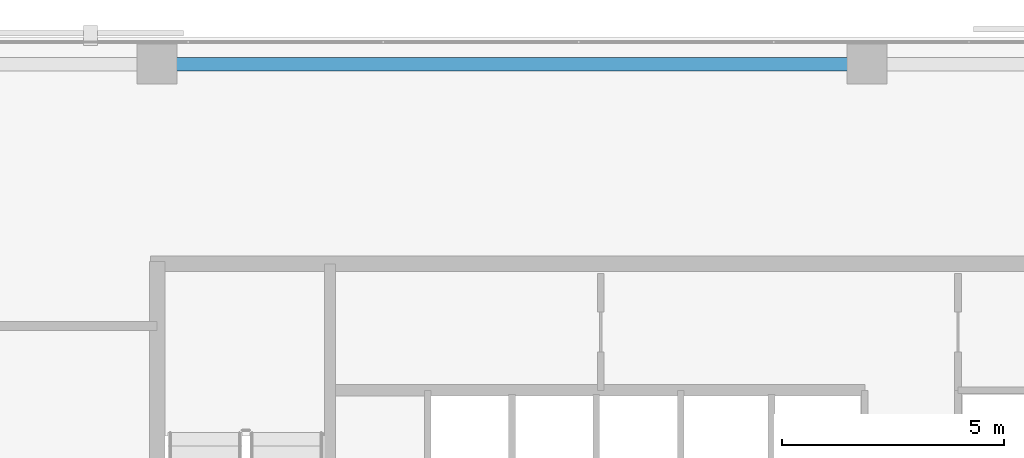
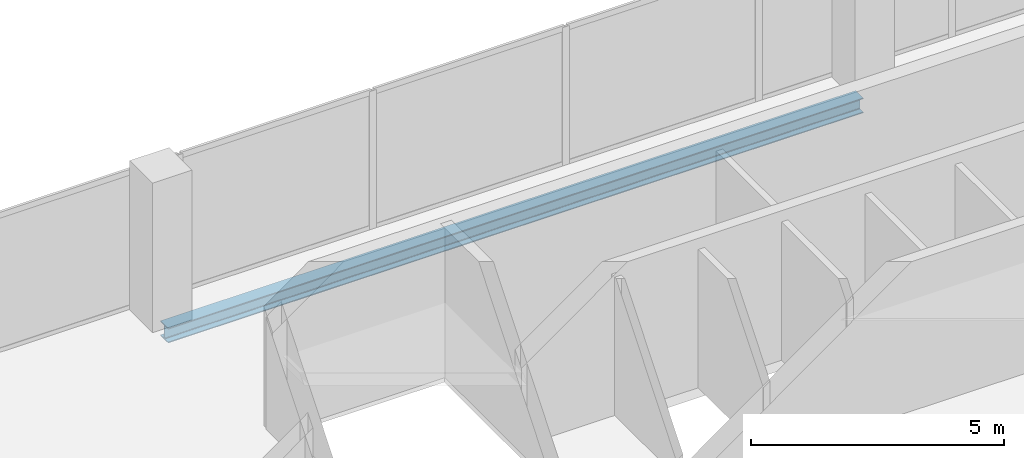
# One storey, part 21 of 33: 1 beam.
"""IFC4 building model written with IfcOpenShell, lengths in metres."""

import ifcopenshell
import ifcopenshell.guid

model = None  # the IFC model being written
_history = None  # IfcOwnerHistory: only IFC2X3 demands one
_inside = {}  # id of a spatial element -> (the spatial element, [elements in it])
_under = {}  # id of a project, library or spatial element -> (it, [spatial elements below it])
_declared = {}  # id of a project -> (the project, [libraries it declares])
_typed = {}  # id of a type object -> (the type object, [elements of that type])
_made_of = {}  # id of a material, layer set ... -> (it, [elements and type objects made of it])


def new_model(schema):
    """Start an empty IFC model of exactly this schema.

    Asked for "IFC4X3", IfcOpenShell would pick the latest addendum, in which some entities
    have other attributes; the version numbers below select the first issue.
    IFC2X3 requires an IfcOwnerHistory on every rooted entity: one is made here for all.
    """
    global model, _history
    if schema == "IFC4X3":
        model = ifcopenshell.file(schema_version=(4, 3, 0, 0))
    else:
        model = ifcopenshell.file(schema=schema)
    _inside.clear()
    _under.clear()
    _declared.clear()
    _typed.clear()
    _made_of.clear()
    _history = None
    if model.schema == "IFC2X3":
        org = make("IfcOrganization", Name="unknown")
        user = make(
            "IfcPersonAndOrganization",
            ThePerson=make("IfcPerson", FamilyName="unknown"),
            TheOrganization=org,
        )
        app = make(
            "IfcApplication",
            ApplicationDeveloper=org,
            Version="unknown",
            ApplicationFullName="unknown",
            ApplicationIdentifier="unknown",
        )
        _history = make(
            "IfcOwnerHistory",
            OwningUser=user,
            OwningApplication=app,
            ChangeAction="ADDED",
            CreationDate=0,
        )
    return model


def make(cls, **values):
    """One entity of the class cls with the attributes given. An attribute that is None is left unset."""
    return model.create_entity(
        cls, **{name: value for name, value in values.items() if value is not None}
    )


def rooted(cls, **values):
    """An entity with a GlobalId (a new one), such as an element, a storey or a relation."""
    return make(cls, GlobalId=ifcopenshell.guid.new(), OwnerHistory=_history, **values)


def si_unit(unit_type, name, prefix=None):
    """IfcSIUnit, for example si_unit("LENGTHUNIT", "METRE", prefix="MILLI")."""
    return make("IfcSIUnit", UnitType=unit_type, Prefix=prefix, Name=name)


def assignment(units):
    """IfcUnitAssignment: the units of a project."""
    return None if units is None else make("IfcUnitAssignment", Units=units)


def point(xyz):
    """IfcCartesianPoint."""
    return None if xyz is None else make("IfcCartesianPoint", Coordinates=xyz)


def direction(xyz):
    """IfcDirection."""
    return None if xyz is None else make("IfcDirection", DirectionRatios=xyz)


def frame(location, z_axis=None, x_axis=None):
    """IfcAxis2Placement3D, a coordinate frame: its origin and axes. An axis left out is left unset."""
    return make(
        "IfcAxis2Placement3D",
        Location=point(location),
        Axis=direction(z_axis),
        RefDirection=direction(x_axis),
    )


def frame_2d(location, x_axis=None):
    """IfcAxis2Placement2D, a coordinate frame in the plane: its origin and x axis."""
    return make(
        "IfcAxis2Placement2D", Location=point(location), RefDirection=direction(x_axis)
    )


def origin():
    """The frame at (0, 0, 0) with its axes left unset."""
    return frame((0.0, 0.0, 0.0))


def origin_2d():
    """The frame at (0, 0) in the plane with its x axis left unset."""
    return frame_2d((0.0, 0.0))


def place(relative_to, where):
    """IfcLocalPlacement: puts the frame where relative to a parent placement (None: the world)."""
    return make(
        "IfcLocalPlacement", PlacementRelTo=relative_to, RelativePlacement=where
    )


def context(
    kind, dimensions, precision=None, world=None, true_north=None, identifier=None
):
    """IfcGeometricRepresentationContext, for example the 3D "Model" context."""
    return make(
        "IfcGeometricRepresentationContext",
        ContextIdentifier=identifier,
        ContextType=kind,
        CoordinateSpaceDimension=dimensions,
        Precision=precision,
        WorldCoordinateSystem=world,
        TrueNorth=true_north,
    )


def subcontext(parent, identifier, kind, view, scale=None):
    """IfcGeometricRepresentationSubContext, for example "Body" below "Model"."""
    return make(
        "IfcGeometricRepresentationSubContext",
        ContextIdentifier=identifier,
        ContextType=kind,
        ParentContext=parent,
        TargetScale=scale,
        TargetView=view,
    )


def project(units=None, contexts=None):
    """IfcProject with its units and contexts."""
    return rooted(
        "IfcProject",
        Name="project",
        RepresentationContexts=contexts,
        UnitsInContext=assignment(units),
    )


def spatial(cls, under=None, at=None, **own):
    """A site, building, storey or space (cls), placed at a placement, below another one or the project."""
    s = rooted(cls, ObjectPlacement=at, **own)
    if under is not None:
        _under.setdefault(under.id(), (under, []))[1].append(s)
    return s


def profile(cls, at=None, kind="AREA", **sizes):
    """A parametric profile (cls). Its sizes go by their IFC names, for example OverallWidth=200.0."""
    return make(cls, ProfileType=kind, Position=at, **sizes)


def i_section(**sizes):
    """IfcIShapeProfileDef."""
    return profile("IfcIShapeProfileDef", **sizes)


def extrude(swept, where, along, depth):
    """IfcExtrudedAreaSolid: the profile swept, set in the frame where, extruded along a direction by depth."""
    return make(
        "IfcExtrudedAreaSolid",
        SweptArea=swept,
        Position=where,
        ExtrudedDirection=direction(along),
        Depth=depth,
    )


def shape(context_of_items, identifier, shape_type, items):
    """IfcShapeRepresentation: the items that make up one representation, for example the "Body"."""
    return make(
        "IfcShapeRepresentation",
        ContextOfItems=context_of_items,
        RepresentationIdentifier=identifier,
        RepresentationType=shape_type,
        Items=items,
    )


def material(Name=None, Category=None):
    """IfcMaterial."""
    return make("IfcMaterial", Name=Name, Category=Category)


def material_profile(
    of_material, cross_section, Name=None, Category=None, Priority=None
):
    """IfcMaterialProfile: a cross section and its material."""
    return make(
        "IfcMaterialProfile",
        Name=Name,
        Material=of_material,
        Profile=cross_section,
        Priority=Priority,
        Category=Category,
    )


def profile_set(profiles, Name=None, composite=None):
    """IfcMaterialProfileSet."""
    return make(
        "IfcMaterialProfileSet",
        Name=Name,
        MaterialProfiles=profiles,
        CompositeProfile=composite,
    )


def made_of(thing, what):
    """Note that an element or type object is made of a material, layer set ...; save() writes the relation."""
    if what is not None:
        _made_of.setdefault(what.id(), (what, []))[1].append(thing)
    return thing


def type_object(cls, material=None, **own):
    """A type object (cls), such as IfcWallType, which elements share."""
    return made_of(rooted(cls, **own), material)


def element(
    cls,
    number,
    at=None,
    inside=None,
    cuts=None,
    type_object=None,
    material=None,
    context=None,
    identifier="Body",
    shape_type=None,
    held_by="IfcProductDefinitionShape",
    body=None,
    shapes=None,
    **own,
):
    """One element of the class cls, such as IfcWall. Its Tag is "e" and its number.

    at: its placement. inside: the storey or other place that contains it. cuts: it is an
    opening in that element (IfcRelVoidsElement). A single representation is given by context,
    identifier, shape_type and body (its items); several are given by shapes. held_by: the class
    of the entity that holds the representations. save() writes the other relations.
    """
    e = rooted(cls, Tag="e%d" % number, ObjectPlacement=at, **own)
    if body is not None:
        shapes = [shape(context, identifier, shape_type, body)]
    if shapes is not None:
        e.Representation = make(held_by, Representations=shapes)
    if inside is not None:
        _inside.setdefault(inside.id(), (inside, []))[1].append(e)
    if cuts is not None:
        rooted(
            "IfcRelVoidsElement", RelatingBuildingElement=cuts, RelatedOpeningElement=e
        )
    if type_object is not None:
        _typed.setdefault(type_object.id(), (type_object, []))[1].append(e)
    return made_of(e, material)


def aggregate(whole, parts):
    """IfcRelAggregates: a whole, such as a stair, and the parts it consists of."""
    return rooted("IfcRelAggregates", RelatingObject=whole, RelatedObjects=parts)


def save(model, path):
    """Write the relations noted so far, then the file.

    IfcRelAggregates (storeys below a building ...), IfcRelContainedInSpatialStructure (elements
    in a storey), IfcRelDefinesByType, IfcRelAssociatesMaterial and IfcRelDeclares: one each for
    every whole, place, type object, material and project.
    """
    for whole, parts in _under.values():
        aggregate(whole, parts)
    for where, things in _inside.values():
        rooted(
            "IfcRelContainedInSpatialStructure",
            RelatedElements=things,
            RelatingStructure=where,
        )
    for kind, things in _typed.values():
        rooted("IfcRelDefinesByType", RelatedObjects=things, RelatingType=kind)
    for what, things in _made_of.values():
        rooted("IfcRelAssociatesMaterial", RelatedObjects=things, RelatingMaterial=what)
    for by, libraries in _declared.values():
        rooted("IfcRelDeclares", RelatingContext=by, RelatedDefinitions=libraries)
    model.write(path)


model = new_model("IFC4")

# Units and contexts
model_context = context("Model", 3, precision=1e-05, world=origin(), true_north=direction((0.0, 1.0)))
body_context = subcontext(model_context, "Body", "Model", "MODEL_VIEW")
ifc_project = project(units=[si_unit("LENGTHUNIT", "METRE"), si_unit("AREAUNIT", "SQUARE_METRE"), si_unit("VOLUMEUNIT", "CUBIC_METRE"), si_unit("PLANEANGLEUNIT", "RADIAN"), si_unit("MASSUNIT", "GRAM", prefix="KILO")], contexts=[model_context])

# Site, building, storey
site_placement = place(None, origin())
site = spatial("IfcSite", under=ifc_project, at=site_placement, CompositionType="ELEMENT")
building_placement = place(site_placement, origin())
building = spatial("IfcBuilding", under=site, at=building_placement, Name="Catumbela Crestline Tower", CompositionType="ELEMENT")
storey_placement = place(building_placement, frame((0.0, 0.0, 104.4)))
storey = spatial("IfcBuildingStorey", under=building, at=storey_placement, Name="L26", CompositionType="ELEMENT", Elevation=104.4)

# Beam
ifc_material = material(Name="Structural steel S355J2", Category="steel")
ifc_material_profile = material_profile(ifc_material, i_section(OverallWidth=0.3, OverallDepth=0.36, WebThickness=0.0125, FlangeThickness=0.0225, FilletRadius=0.027, at=origin_2d()), Name="HEB 360")
ifc_profile_set = profile_set([ifc_material_profile], Name="Structural steel S355J2")
beam_type = type_object("IfcBeamType", Name="BS-HEB360", PredefinedType="SPANDREL", material=ifc_profile_set)
beam_placement = place(storey_placement, frame((16.08, 47.4, -0.44), z_axis=(1.0, 0.0, 0.0), x_axis=(0.0, 1.0, 0.0)))
element("IfcBeam", 1, at=beam_placement, inside=storey, type_object=beam_type, Name="L26 Spandrel SP-L26-NF19", PredefinedType="SPANDREL", context=body_context, shape_type="SweptSolid", body=[
    extrude(i_section(OverallWidth=0.3, OverallDepth=0.36, WebThickness=0.0125, FlangeThickness=0.0225, FilletRadius=0.027, at=origin_2d()), origin(), (0.0, 0.0, 1.0), 15.84),
])

save(model, "model.ifc")
